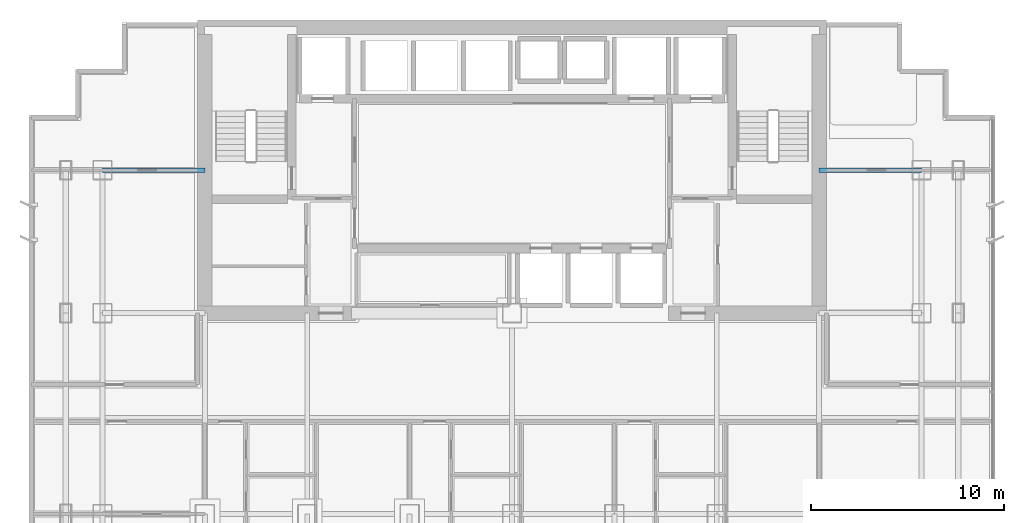
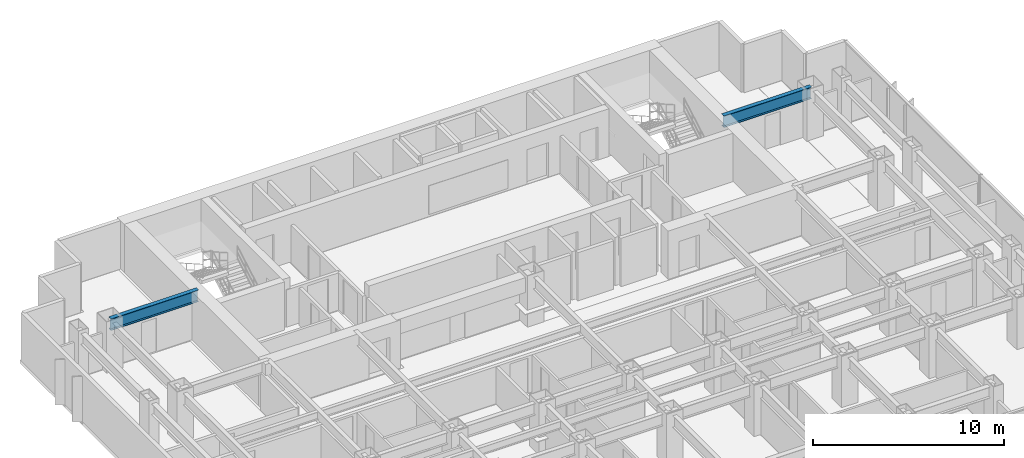
# One storey, part 4 of 11: 2 beams.
"""IFC4 building model written with IfcOpenShell, lengths in metres."""

from ifc_helpers import new_model, si_unit, direction, frame, origin, origin_2d, place, context, subcontext, project, spatial, i_section, extrude, material, material_profile, profile_set, type_object, element, save


model = new_model("IFC4")

# Units and contexts
model_context = context("Model", 3, precision=1e-05, world=origin(), true_north=direction((0.0, 1.0)))
body_context = subcontext(model_context, "Body", "Model", "MODEL_VIEW")
ifc_project = project(units=[si_unit("LENGTHUNIT", "METRE"), si_unit("AREAUNIT", "SQUARE_METRE"), si_unit("VOLUMEUNIT", "CUBIC_METRE"), si_unit("PLANEANGLEUNIT", "RADIAN"), si_unit("MASSUNIT", "GRAM", prefix="KILO")], contexts=[model_context])

# Site, building, storey
site_placement = place(None, origin())
site = spatial("IfcSite", under=ifc_project, at=site_placement, CompositionType="ELEMENT")
building_placement = place(site_placement, origin())
building = spatial("IfcBuilding", under=site, at=building_placement, Name="Qianlan Lanfeng Residences", CompositionType="ELEMENT")
storey_placement = place(building_placement, frame((0.0, 0.0, 104.800048828125)))
storey = spatial("IfcBuildingStorey", under=building, at=storey_placement, Name="L28", CompositionType="ELEMENT", Elevation=104.800048828125)

# Beams
ifc_material = material(Name="Steel SN490B", Category="steel")
ifc_material_profile = material_profile(ifc_material, i_section(OverallWidth=0.25, OverallDepth=0.75, WebThickness=0.013916015625, FlangeThickness=0.02490234375, at=origin_2d()), Name="H 750x250x14x25")
ifc_profile_set = profile_set([ifc_material_profile], Name="Steel SN490B")
beam_type = type_object("IfcBeamType", Name="G-850", PredefinedType="BEAM", material=ifc_profile_set)
for number, where, z_axis, x_axis, name in (
    (1, (5.300048828125, 32.60009765625, 2.71484375), (1.0, 0.0, 0.0), (0.0, 1.0, 0.0), "Structural beam G-850"),
    (2, (42.39990234375, 32.60009765625, 2.71484375), (1.0, 0.0, 0.0), (0.0, 1.0, 0.0), "Structural beam G-850"),
):
    element("IfcBeam", number, at=place(storey_placement, frame(where, z_axis=z_axis, x_axis=x_axis)), inside=storey, type_object=beam_type, Name=name, PredefinedType="BEAM", context=body_context, shape_type="SweptSolid", body=[
        extrude(i_section(OverallWidth=0.25, OverallDepth=0.75, WebThickness=0.013916015625, FlangeThickness=0.02490234375, at=origin_2d()), origin(), (0.0, 0.0, 1.0), 5.300048828125),
    ])

save(model, "model.ifc")
